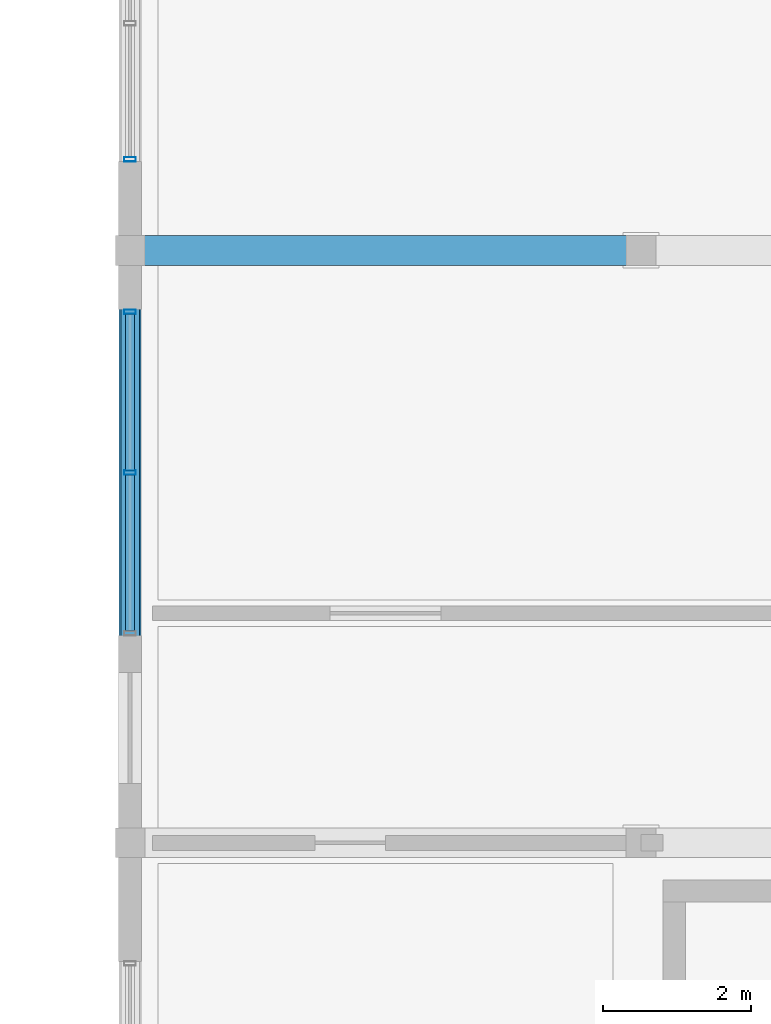
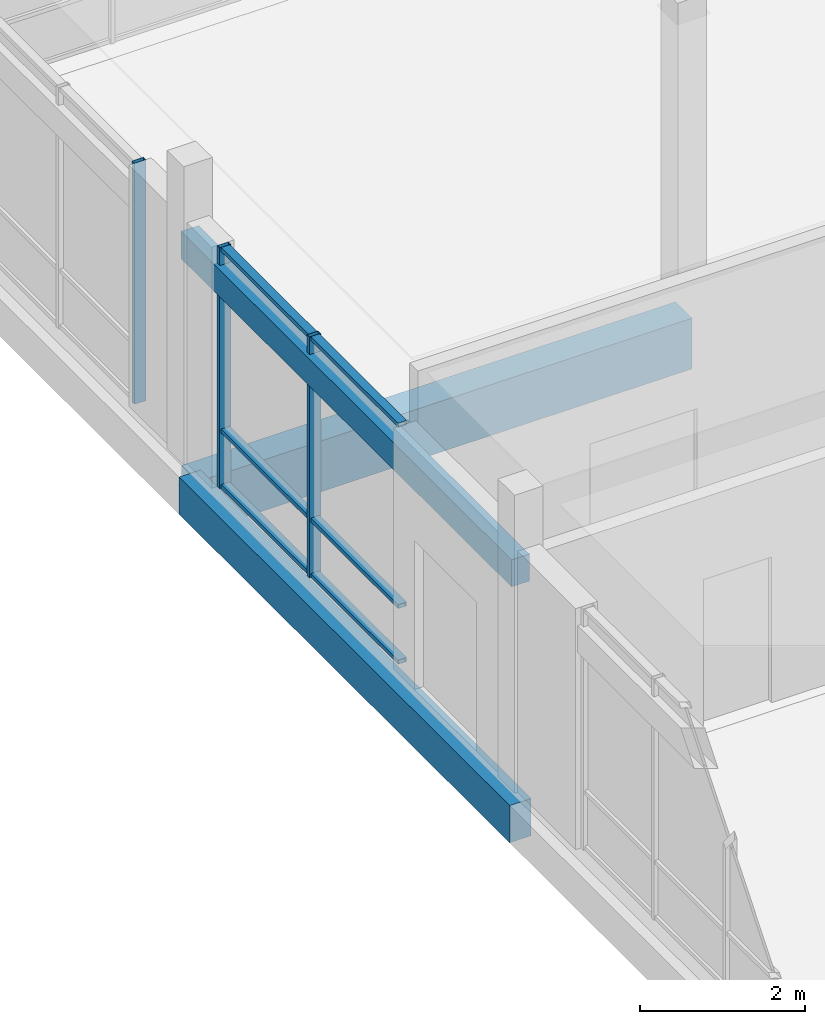
# One storey, part 48 of 233: 9 members, 3 beams, 2 elements without a shape of their own.
"""IFC4 building model written with IfcOpenShell, lengths in metres."""

from ifc_helpers import new_model, si_unit, direction, frame, origin, origin_2d, place, context, subcontext, project, spatial, rectangle, hollow_rectangle, extrude, material, material_profile, profile_set, type_object, element, aggregate, save


model = new_model("IFC4")

# Units and contexts
model_context = context("Model", 3, precision=1e-05, world=origin(), true_north=direction((0.0, 1.0)))
body_context = subcontext(model_context, "Body", "Model", "MODEL_VIEW")
ifc_project = project(units=[si_unit("LENGTHUNIT", "METRE"), si_unit("AREAUNIT", "SQUARE_METRE"), si_unit("VOLUMEUNIT", "CUBIC_METRE"), si_unit("PLANEANGLEUNIT", "RADIAN"), si_unit("MASSUNIT", "GRAM", prefix="KILO")], contexts=[model_context])

# Site, building, storey
site_placement = place(None, origin())
site = spatial("IfcSite", under=ifc_project, at=site_placement, CompositionType="ELEMENT")
building_placement = place(site_placement, origin())
building = spatial("IfcBuilding", under=site, at=building_placement, Name="Zavelmont Quarter", CompositionType="ELEMENT")
storey_placement = place(building_placement, origin())
storey = spatial("IfcBuildingStorey", under=building, at=storey_placement, Name="L00", CompositionType="ELEMENT", Elevation=0.0)

# Beams
ifc_material_1 = material(Name="Concrete C35/45", Category="concrete")
ifc_material_profile_1 = material_profile(ifc_material_1, rectangle(XDim=0.300048828125, YDim=0.550048828125, at=origin_2d()), Name="RC300X550")
ifc_profile_set_1 = profile_set([ifc_material_profile_1], Name="Concrete C35/45")
beam_type_1 = type_object("IfcBeamType", Name="BM02", PredefinedType="SPANDREL", material=ifc_profile_set_1)
beam_1_placement = place(storey_placement, frame((0.0, 38.0, -0.594970703125), z_axis=(0.0, 1.0, 0.0), x_axis=(-1.0, 0.0, 0.0)))
element("IfcBeam", 1, at=beam_1_placement, inside=storey, type_object=beam_type_1, Name="L00 beam BM02 1/G to 1/H", PredefinedType="SPANDREL", context=body_context, shape_type="SweptSolid", body=[
    extrude(rectangle(XDim=0.300048828125, YDim=0.550048828125, at=origin_2d()), origin(), (0.0, 0.0, 1.0), 8.0),
])
ifc_material_profile_2 = material_profile(ifc_material_1, rectangle(XDim=0.25, YDim=0.39990234375, at=origin_2d()), Name="RC250X400")
ifc_profile_set_2 = profile_set([ifc_material_profile_2], Name="Concrete C35/45")
beam_type_2 = type_object("IfcBeamType", Name="BM04", PredefinedType="LINTEL", material=ifc_profile_set_2)
beam_2_placement = place(storey_placement, frame((0.0, 38.0, 3.10009765625), z_axis=(0.0, 1.0, 0.0), x_axis=(-1.0, 0.0, 0.0)))
element("IfcBeam", 2, at=beam_2_placement, inside=storey, type_object=beam_type_2, Name="L00 beam BM04 1/G to 1/H", PredefinedType="LINTEL", context=body_context, shape_type="SweptSolid", body=[
    extrude(rectangle(XDim=0.25, YDim=0.39990234375, at=origin_2d()), origin(), (0.0, 0.0, 1.0), 8.0),
])
ifc_material_2 = material(Name="Concrete C40/50", Category="concrete")
ifc_material_profile_3 = material_profile(ifc_material_2, rectangle(XDim=0.39990234375, YDim=0.75, at=origin_2d()), Name="RC400X750")
ifc_profile_set_3 = profile_set([ifc_material_profile_3], Name="Concrete C40/50")
beam_type_3 = type_object("IfcBeamType", Name="BM05", PredefinedType="BEAM", material=ifc_profile_set_3)
beam_3_placement = place(storey_placement, frame((0.0, 46.0, -0.695068359375), z_axis=(1.0, 0.0, 0.0), x_axis=(0.0, 1.0, 0.0)))
element("IfcBeam", 3, at=beam_3_placement, inside=storey, type_object=beam_type_3, Name="L00 beam BM05 1/H to 2/H", PredefinedType="BEAM", context=body_context, shape_type="SweptSolid", body=[
    extrude(rectangle(XDim=0.39990234375, YDim=0.75, at=origin_2d()), origin(), (0.0, 0.0, 1.0), 6.89990234375),
])

# Curtain wall, members
ifc_material_3 = material(Name="Thermally broken aluminium and double low-E safety glazing", Category="aluminium")
curtain_wall_type_1 = type_object("IfcCurtainWallType", Name="CW-440X356", PredefinedType="NOTDEFINED", material=ifc_material_3)
curtain_wall_1_placement = place(storey_placement, origin())
curtain_wall_1 = element("IfcCurtainWall", 4, at=curtain_wall_1_placement, inside=storey, type_object=curtain_wall_type_1, Name="L00 unitised curtain wall CW-440X356", PredefinedType="NOTDEFINED")
ifc_material_4 = material(Name="Powder-coated aluminium EN AW-6063-T6", Category="aluminium")
ifc_material_profile_4 = material_profile(ifc_material_4, hollow_rectangle(XDim=0.06005859375, YDim=0.159912109375, WallThickness=0.00390625, at=origin_2d()), Name="CWM60X160")
ifc_profile_set_4 = profile_set([ifc_material_profile_4], Name="Powder-coated aluminium EN AW-6063-T6")
member_type_1 = type_object("IfcMemberType", Name="CWM01", PredefinedType="MULLION", material=ifc_profile_set_4)
member_1_placement = place(storey_placement, frame((0.0, 43.0, 0.0), z_axis=(0.0, 0.0, 1.0), x_axis=(0.0, 1.0, 0.0)))
member_1 = element("IfcMember", 5, at=member_1_placement, type_object=member_type_1, Name="CW-440X356 mullion 2", PredefinedType="MULLION", context=body_context, shape_type="SweptSolid", body=[
    extrude(hollow_rectangle(XDim=0.06005859375, YDim=0.159912109375, WallThickness=0.00390625, at=origin_2d()), origin(), (0.0, 0.0, 1.0), 3.56005859375),
])
member_2_placement = place(storey_placement, frame((0.0, 45.169921875, 0.0), z_axis=(0.0, 0.0, 1.0), x_axis=(0.0, 1.0, 0.0)))
member_2 = element("IfcMember", 6, at=member_2_placement, type_object=member_type_1, Name="CW-440X356 mullion 3", PredefinedType="MULLION", context=body_context, shape_type="SweptSolid", body=[
    extrude(hollow_rectangle(XDim=0.06005859375, YDim=0.159912109375, WallThickness=0.00390625, at=origin_2d()), origin(), (0.0, 0.0, 1.0), 3.56005859375),
])

# Curtain wall, member
curtain_wall_type_2 = type_object("IfcCurtainWallType", Name="CW-560X356", PredefinedType="NOTDEFINED", material=ifc_material_3)
curtain_wall_2_placement = place(storey_placement, origin())
curtain_wall_2 = element("IfcCurtainWall", 7, at=curtain_wall_2_placement, inside=storey, type_object=curtain_wall_type_2, Name="L00 unitised curtain wall CW-560X356", PredefinedType="NOTDEFINED")
member_3_placement = place(storey_placement, frame((0.0, 47.22998046875, 0.0), z_axis=(0.0, 0.0, 1.0), x_axis=(0.0, 1.0, 0.0)))
member_3 = element("IfcMember", 8, at=member_3_placement, type_object=member_type_1, Name="CW-560X356 mullion 1", PredefinedType="MULLION", context=body_context, shape_type="SweptSolid", body=[
    extrude(hollow_rectangle(XDim=0.06005859375, YDim=0.159912109375, WallThickness=0.00390625, at=origin_2d()), origin(), (0.0, 0.0, 1.0), 3.56005859375),
])
aggregate(curtain_wall_2, [member_3])

# Member
ifc_material_profile_5 = material_profile(ifc_material_4, hollow_rectangle(XDim=0.1201171875, YDim=0.06005859375, WallThickness=0.00390625, at=origin_2d()), Name="CWT60X120")
ifc_profile_set_5 = profile_set([ifc_material_profile_5], Name="Powder-coated aluminium EN AW-6063-T6")
member_type_2 = type_object("IfcMemberType", Name="CWT01", PredefinedType="NOTDEFINED", material=ifc_profile_set_5)
member_4_placement = place(storey_placement, frame((0.0, 40.860107421875, 0.030029296875), z_axis=(0.0, 1.0, 0.0), x_axis=(-1.0, 0.0, 0.0)))
member_4 = element("IfcMember", 9, at=member_4_placement, type_object=member_type_2, Name="CW-440X356 transom 1.1", ObjectType="TRANSOM", PredefinedType="USERDEFINED", context=body_context, shape_type="SweptSolid", body=[
    extrude(hollow_rectangle(XDim=0.1201171875, YDim=0.06005859375, WallThickness=0.00390625, at=origin_2d()), origin(), (0.0, 0.0, 1.0), 2.10986328125),
])

member_5_placement = place(storey_placement, frame((0.0, 40.860107421875, 0.85009765625), z_axis=(0.0, 1.0, 0.0), x_axis=(-1.0, 0.0, 0.0)))
member_5 = element("IfcMember", 10, at=member_5_placement, type_object=member_type_2, Name="CW-440X356 transom 1.2", ObjectType="TRANSOM", PredefinedType="USERDEFINED", context=body_context, shape_type="SweptSolid", body=[
    extrude(hollow_rectangle(XDim=0.1201171875, YDim=0.06005859375, WallThickness=0.00390625, at=origin_2d()), origin(), (0.0, 0.0, 1.0), 2.10986328125),
])

member_6_placement = place(storey_placement, frame((0.0, 40.860107421875, 3.530029296875), z_axis=(0.0, 1.0, 0.0), x_axis=(-1.0, 0.0, 0.0)))
member_6 = element("IfcMember", 11, at=member_6_placement, type_object=member_type_2, Name="CW-440X356 transom 1.3", ObjectType="TRANSOM", PredefinedType="USERDEFINED", context=body_context, shape_type="SweptSolid", body=[
    extrude(hollow_rectangle(XDim=0.1201171875, YDim=0.06005859375, WallThickness=0.00390625, at=origin_2d()), origin(), (0.0, 0.0, 1.0), 2.10986328125),
])

member_7_placement = place(storey_placement, frame((0.0, 43.030029296875, 0.030029296875), z_axis=(0.0, 1.0, 0.0), x_axis=(-1.0, 0.0, 0.0)))
member_7 = element("IfcMember", 12, at=member_7_placement, type_object=member_type_2, Name="CW-440X356 transom 2.1", ObjectType="TRANSOM", PredefinedType="USERDEFINED", context=body_context, shape_type="SweptSolid", body=[
    extrude(hollow_rectangle(XDim=0.1201171875, YDim=0.06005859375, WallThickness=0.00390625, at=origin_2d()), origin(), (0.0, 0.0, 1.0), 2.10986328125),
])

member_8_placement = place(storey_placement, frame((0.0, 43.030029296875, 0.85009765625), z_axis=(0.0, 1.0, 0.0), x_axis=(-1.0, 0.0, 0.0)))
member_8 = element("IfcMember", 13, at=member_8_placement, type_object=member_type_2, Name="CW-440X356 transom 2.2", ObjectType="TRANSOM", PredefinedType="USERDEFINED", context=body_context, shape_type="SweptSolid", body=[
    extrude(hollow_rectangle(XDim=0.1201171875, YDim=0.06005859375, WallThickness=0.00390625, at=origin_2d()), origin(), (0.0, 0.0, 1.0), 2.10986328125),
])

member_9_placement = place(storey_placement, frame((0.0, 43.030029296875, 3.530029296875), z_axis=(0.0, 1.0, 0.0), x_axis=(-1.0, 0.0, 0.0)))
member_9 = element("IfcMember", 14, at=member_9_placement, type_object=member_type_2, Name="CW-440X356 transom 2.3", ObjectType="TRANSOM", PredefinedType="USERDEFINED", context=body_context, shape_type="SweptSolid", body=[
    extrude(hollow_rectangle(XDim=0.1201171875, YDim=0.06005859375, WallThickness=0.00390625, at=origin_2d()), origin(), (0.0, 0.0, 1.0), 2.10986328125),
])

aggregate(curtain_wall_1, [member_1, member_2, member_4, member_5, member_6, member_7, member_8, member_9])

save(model, "model.ifc")
